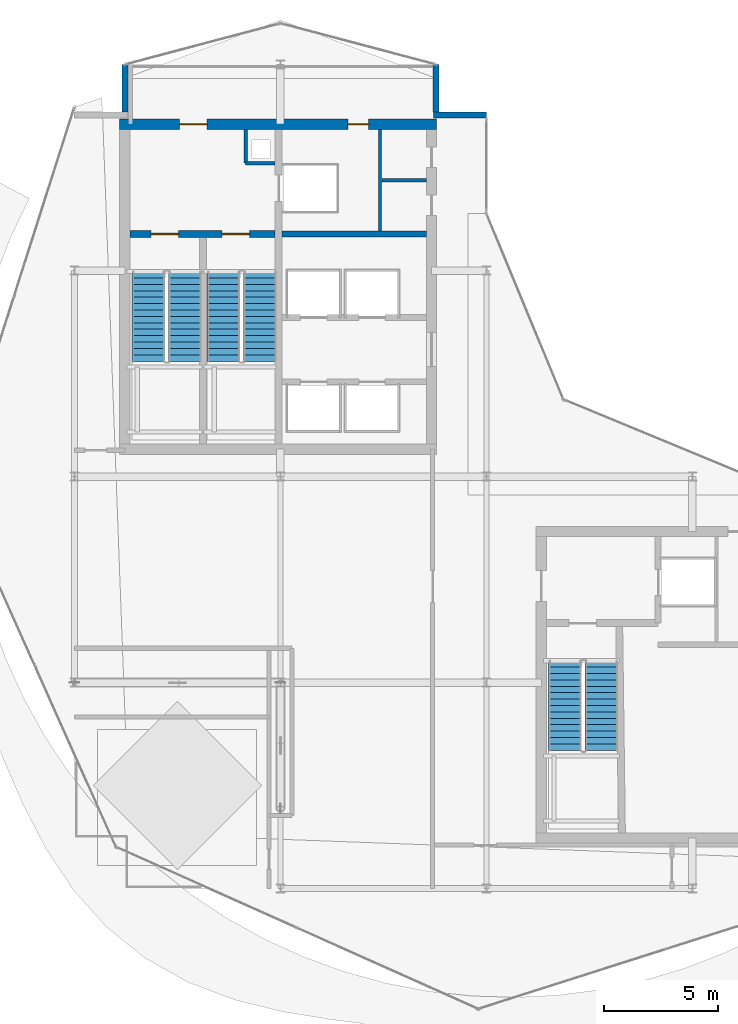
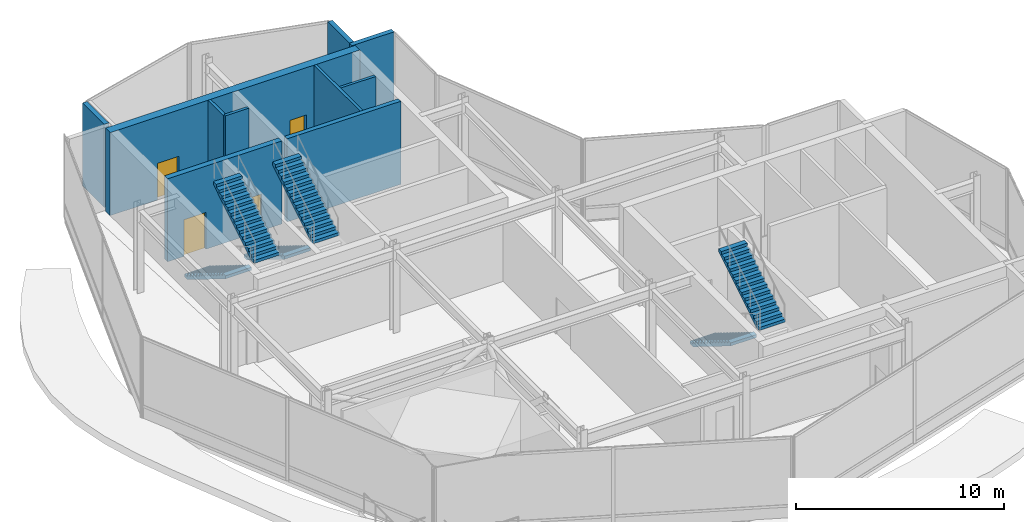
# One storey, part 18 of 21: 10 walls, 6 stair flights, 4 doors, 4 openings, 3 elements without a shape of their own.
"""IFC4 building model written with IfcOpenShell, lengths in metres."""

from ifc_helpers import new_model, si_unit, direction, frame, frame_2d, origin, place, context, subcontext, project, spatial, polyline, rectangle, outline, extrude, material, layer, layer_set, type_object, element, fill, aggregate, save


model = new_model("IFC4")

# Units and contexts
model_context = context("Model", 3, precision=1e-05, world=origin(), true_north=direction((0.0, 1.0)))
body_context = subcontext(model_context, "Body", "Model", "MODEL_VIEW")
ifc_project = project(units=[si_unit("LENGTHUNIT", "METRE"), si_unit("AREAUNIT", "SQUARE_METRE"), si_unit("VOLUMEUNIT", "CUBIC_METRE"), si_unit("PLANEANGLEUNIT", "RADIAN"), si_unit("MASSUNIT", "GRAM", prefix="KILO")], contexts=[model_context])

# Site, building, storey
site_placement = place(None, origin())
site = spatial("IfcSite", under=ifc_project, at=site_placement, CompositionType="ELEMENT")
building_placement = place(site_placement, origin())
building = spatial("IfcBuilding", under=site, at=building_placement, Name="Solvaryn Broadcast Tower", CompositionType="ELEMENT")
storey_placement = place(building_placement, frame((0.0, 0.0, 297.39990234375)))
storey = spatial("IfcBuildingStorey", under=building, at=storey_placement, Name="L75", CompositionType="ELEMENT", Elevation=297.39990234375)

# Wall, openings, doors
ifc_material_1 = material(Name="Concrete f'c 70 MPa", Category="concrete")
ifc_layer_1 = layer(ifc_material_1, 0.449951171875)
ifc_layer_set_1 = layer_set([ifc_layer_1], Name="CW-SHEAR-450")
wall_type_1 = type_object("IfcWallType", Name="CW-SHEAR-450", PredefinedType="SHEAR", material=ifc_layer_set_1)
wall_1_placement = place(storey_placement, frame((24.824951171875, 42.39990234375, 0.0), z_axis=(0.0, 0.0, 1.0), x_axis=(-1.0, 0.0, 0.0)))
wall_1 = element("IfcWall", 1, at=wall_1_placement, inside=storey, type_object=wall_type_1, Name="L75 West Core North Shear Wall", PredefinedType="SHEAR", context=body_context, shape_type="SweptSolid", body=[
    extrude(rectangle(XDim=13.849853515625, YDim=0.449951171875, at=frame_2d((6.9248046875, 0.0))), origin(), (0.0, 0.0, 1.0), 4.8701171875),
])
opening_1_placement = place(wall_1_placement, frame((10.02490234375, 0.0, 0.0)))
opening_1 = element("IfcOpeningElement", 2, at=opening_1_placement, cuts=wall_1, Name="Opening FD90A", PredefinedType="OPENING", context=body_context, shape_type="SweptSolid", body=[
    extrude(rectangle(XDim=1.199951171875, YDim=2.14990234375, at=frame_2d((0.60009765625, 1.074951171875))), frame((0.0, 0.235107421875, 0.0), z_axis=(0.0, -1.0, 0.0), x_axis=(1.0, 0.0, 0.0)), (0.0, 0.0, 1.0), 0.469970703125),
])
opening_2_placement = place(wall_1_placement, frame((2.97509765625, 0.0, 0.0)))
opening_2 = element("IfcOpeningElement", 3, at=opening_2_placement, cuts=wall_1, Name="Opening FD60C", PredefinedType="OPENING", context=body_context, shape_type="SweptSolid", body=[
    extrude(rectangle(XDim=0.89990234375, YDim=2.10009765625, at=frame_2d((0.449951171875, 1.050048828125))), frame((0.0, 0.235107421875, 0.0), z_axis=(0.0, -1.0, 0.0), x_axis=(1.0, 0.0, 0.0)), (0.0, 0.0, 1.0), 0.469970703125),
])
ifc_material_2 = material(Name="Flush Acoustic Steel and Timber Door Assembly", Category="steel")
door_type_1 = type_object("IfcDoorType", Name="FD60-SERV-900X2100", OperationType="NOTDEFINED", PredefinedType="DOOR", material=ifc_material_2)
door_1_placement = place(opening_2_placement, origin())
door_1 = element("IfcDoor", 4, at=door_1_placement, inside=storey, type_object=door_type_1, Name="L75 West Core Fiber Riser Door", OperationType="SINGLE_SWING_RIGHT", OverallHeight=2.10009765625, OverallWidth=0.89990234375, PredefinedType="DOOR", context=body_context, shape_type="SweptSolid", body=[
    extrude(rectangle(XDim=0.89990234375, YDim=2.10009765625, at=frame_2d((0.449951171875, 1.050048828125))), frame((0.0, 0.02490234375, 0.0), z_axis=(0.0, -1.0, 0.0), x_axis=(1.0, 0.0, 0.0)), (0.0, 0.0, 1.0), 0.050048828125),
])
fill(opening_2, door_1)
ifc_material_3 = material(Name="Flush Acoustic Steel and Timber Door Assembly", Category="steel")
door_type_2 = type_object("IfcDoorType", Name="FD90-STAIR-1200X2150", OperationType="NOTDEFINED", PredefinedType="DOOR", material=ifc_material_3)
door_2_placement = place(opening_1_placement, origin())
door_2 = element("IfcDoor", 5, at=door_2_placement, inside=storey, type_object=door_type_2, Name="L75 West FSAE Lobby Corridor Door", OperationType="SINGLE_SWING_LEFT", OverallHeight=2.14990234375, OverallWidth=1.199951171875, PredefinedType="DOOR", context=body_context, shape_type="SweptSolid", body=[
    extrude(rectangle(XDim=1.199951171875, YDim=2.14990234375, at=frame_2d((0.60009765625, 1.074951171875))), frame((0.0, 0.02490234375, 0.0), z_axis=(0.0, -1.0, 0.0), x_axis=(1.0, 0.0, 0.0)), (0.0, 0.0, 1.0), 0.050048828125),
])
fill(opening_1, door_2)

# Walls
ifc_material_4 = material(Name="Concrete f'c 50 MPa", Category="concrete")
ifc_layer_2 = layer(ifc_material_4, 0.260009765625)
ifc_layer_set_2 = layer_set([ifc_layer_2], Name="EW-PIER-260")
wall_type_2 = type_object("IfcWallType", Name="EW-PIER-260", PredefinedType="SOLIDWALL", material=ifc_layer_set_2)
for number, where, z_axis, x_axis, name in (
    (6, (11.199951171875, 42.919921875, 0.0), (0.0, 0.0, 1.0), (0.0, 1.0, 0.0), "L75 Notched Corner Pier Wall NNW2"),
    (7, (24.800048828125, 45.0, 0.0), (0.0, 0.0, 1.0), (0.0, -1.0, 0.0), "L75 Notched Corner Pier Wall NNE1"),
):
    element("IfcWall", number, at=place(storey_placement, frame(where, z_axis=z_axis, x_axis=x_axis)), inside=storey, type_object=wall_type_2, Name=name, PredefinedType="SOLIDWALL", context=body_context, shape_type="SweptSolid", body=[
        extrude(rectangle(XDim=2.080078125, YDim=0.260009765625, at=frame_2d((1.0400390625, 0.0))), origin(), (0.0, 0.0, 1.0), 4.8701171875),
    ])
wall_2_placement = place(storey_placement, frame((24.679931640625, 42.800048828125, 0.0), z_axis=(0.0, 0.0, 1.0), x_axis=(1.0, 0.0, 0.0)))
element("IfcWall", 8, at=wall_2_placement, inside=storey, type_object=wall_type_2, Name="L75 Notched Corner Pier Wall NNE2", PredefinedType="SOLIDWALL", context=body_context, shape_type="SweptSolid", body=[
    extrude(rectangle(XDim=2.320068359375, YDim=0.260009765625, at=frame_2d((1.16015625, 0.0))), origin(), (0.0, 0.0, 1.0), 4.8701171875),
])
ifc_material_5 = material(Name="Metal-Stud Service Core Partition")
ifc_layer_3 = layer(ifc_material_5, 0.14990234375)
ifc_layer_set_3 = layer_set([ifc_layer_3], Name="IW-PART-150")
wall_type_3 = type_object("IfcWallType", Name="IW-PART-150", PredefinedType="PARTITIONING", material=ifc_layer_set_3)
wall_3_placement = place(storey_placement, frame((16.47998046875, 40.699951171875, 0.0), z_axis=(0.0, 0.0, 1.0), x_axis=(1.0, 0.0, 0.0)))
element("IfcWall", 9, at=wall_3_placement, inside=storey, type_object=wall_type_3, Name="L75 West Core Riser Shaft South Wall", PredefinedType="PARTITIONING", context=body_context, shape_type="SweptSolid", body=[
    extrude(rectangle(XDim=1.2900390625, YDim=0.14990234375, at=frame_2d((0.64501953125, 0.0))), origin(), (0.0, 0.0, 1.0), 4.8701171875),
])
wall_4_placement = place(storey_placement, frame((16.47998046875, 40.699951171875, 0.0), z_axis=(0.0, 0.0, 1.0), x_axis=(0.0, 1.0, 0.0)))
element("IfcWall", 10, at=wall_4_placement, inside=storey, type_object=wall_type_3, Name="L75 West Core Riser Shaft West Wall", PredefinedType="PARTITIONING", context=body_context, shape_type="SweptSolid", body=[
    extrude(rectangle(XDim=1.47509765625, YDim=0.14990234375, at=frame_2d((0.737548828125, 0.0))), origin(), (0.0, 0.0, 1.0), 4.8701171875),
])
wall_5_placement = place(storey_placement, frame((22.35009765625, 37.72998046875, 0.0), z_axis=(0.0, 0.0, 1.0), x_axis=(0.0, 1.0, 0.0)))
element("IfcWall", 11, at=wall_5_placement, inside=storey, type_object=wall_type_3, Name="L75 Interior Partition IW-L75-CWS-V", PredefinedType="PARTITIONING", context=body_context, shape_type="SweptSolid", body=[
    extrude(rectangle(XDim=4.445068359375, YDim=0.14990234375, at=frame_2d((2.22265625, 0.0))), origin(), (0.0, 0.0, 1.0), 4.8701171875),
])
wall_6_placement = place(storey_placement, frame((22.429931640625, 39.949951171875, 0.0), z_axis=(0.0, 0.0, 1.0), x_axis=(1.0, 0.0, 0.0)))
element("IfcWall", 12, at=wall_6_placement, inside=storey, type_object=wall_type_3, Name="L75 Interior Partition IW-L75-CWS-H", PredefinedType="PARTITIONING", context=body_context, shape_type="SweptSolid", body=[
    extrude(rectangle(XDim=1.945068359375, YDim=0.14990234375, at=frame_2d((0.97265625, 0.0))), origin(), (0.0, 0.0, 1.0), 4.8701171875),
])
ifc_material_6 = material(Name="Concrete f'c 60 MPa", Category="concrete")
ifc_layer_4 = layer(ifc_material_6, 0.25)
ifc_layer_set_4 = layer_set([ifc_layer_4], Name="SW-SHAFT-250")
wall_type_4 = type_object("IfcWallType", Name="SW-SHAFT-250", PredefinedType="PARTITIONING", material=ifc_layer_set_4)
wall_7_placement = place(storey_placement, frame((18.070068359375, 37.60009765625, 0.0), z_axis=(0.0, 0.0, 1.0), x_axis=(1.0, 0.0, 0.0)))
element("IfcWall", 13, at=wall_7_placement, inside=storey, type_object=wall_type_4, Name="L75 West Core FSAE Hoistway Front Wall", PredefinedType="PARTITIONING", context=body_context, shape_type="SweptSolid", body=[
    extrude(rectangle(XDim=6.304931640625, YDim=0.25, at=frame_2d((3.15234375, 0.0))), origin(), (0.0, 0.0, 1.0), 4.8701171875),
])

# Wall, openings, doors
ifc_material_7 = material(Name="Concrete f'c 70 MPa", Category="concrete")
ifc_layer_5 = layer(ifc_material_7, 0.300048828125)
ifc_layer_set_5 = layer_set([ifc_layer_5], Name="SW-SHAFT-300")
wall_type_5 = type_object("IfcWallType", Name="SW-SHAFT-300", PredefinedType="SHEAR", material=ifc_layer_set_5)
wall_8_placement = place(storey_placement, frame((17.77001953125, 37.60009765625, 0.0), z_axis=(0.0, 0.0, 1.0), x_axis=(-1.0, 0.0, 0.0)))
wall_8 = element("IfcWall", 14, at=wall_8_placement, inside=storey, type_object=wall_type_5, Name="L75 West Core FSAE Lobby South Wall", PredefinedType="SHEAR", context=body_context, shape_type="SweptSolid", body=[
    extrude(rectangle(XDim=6.344970703125, YDim=0.300048828125, at=frame_2d((3.17236328125, 0.0))), origin(), (0.0, 0.0, 1.0), 4.8701171875),
])
opening_3_placement = place(wall_8_placement, frame((4.219970703125, 0.0, 0.0)))
opening_3 = element("IfcOpeningElement", 15, at=opening_3_placement, cuts=wall_8, Name="Opening FD90A", PredefinedType="OPENING", context=body_context, shape_type="SweptSolid", body=[
    extrude(rectangle(XDim=1.199951171875, YDim=2.14990234375, at=frame_2d((0.60009765625, 1.074951171875))), frame((0.0, 0.159912109375, 0.0), z_axis=(0.0, -1.0, 0.0), x_axis=(1.0, 0.0, 0.0)), (0.0, 0.0, 1.0), 0.320068359375),
])
opening_4_placement = place(wall_8_placement, frame((1.1201171875, 0.0, 0.0)))
opening_4 = element("IfcOpeningElement", 16, at=opening_4_placement, cuts=wall_8, Name="Opening FD90A", PredefinedType="OPENING", context=body_context, shape_type="SweptSolid", body=[
    extrude(rectangle(XDim=1.199951171875, YDim=2.14990234375, at=frame_2d((0.60009765625, 1.074951171875))), frame((0.0, 0.159912109375, 0.0), z_axis=(0.0, -1.0, 0.0), x_axis=(1.0, 0.0, 0.0)), (0.0, 0.0, 1.0), 0.320068359375),
])
door_3_placement = place(opening_3_placement, origin())
door_3 = element("IfcDoor", 17, at=door_3_placement, inside=storey, type_object=door_type_2, Name="L75 Stair 1 Fire Door", OperationType="SINGLE_SWING_LEFT", OverallHeight=2.14990234375, OverallWidth=1.199951171875, PredefinedType="DOOR", context=body_context, shape_type="SweptSolid", body=[
    extrude(rectangle(XDim=1.199951171875, YDim=2.14990234375, at=frame_2d((0.60009765625, 1.074951171875))), frame((0.0, 0.02490234375, 0.0), z_axis=(0.0, -1.0, 0.0), x_axis=(1.0, 0.0, 0.0)), (0.0, 0.0, 1.0), 0.050048828125),
])
fill(opening_3, door_3)
door_4_placement = place(opening_4_placement, origin())
door_4 = element("IfcDoor", 18, at=door_4_placement, inside=storey, type_object=door_type_2, Name="L75 Stair 2 Fire Door", OperationType="SINGLE_SWING_RIGHT", OverallHeight=2.14990234375, OverallWidth=1.199951171875, PredefinedType="DOOR", context=body_context, shape_type="SweptSolid", body=[
    extrude(rectangle(XDim=1.199951171875, YDim=2.14990234375, at=frame_2d((0.60009765625, 1.074951171875))), frame((0.0, 0.02490234375, 0.0), z_axis=(0.0, -1.0, 0.0), x_axis=(1.0, 0.0, 0.0)), (0.0, 0.0, 1.0), 0.050048828125),
])
fill(opening_4, door_4)

# Stair, stair flights
ifc_material_8 = material(Name="Concrete f'c 60 MPa", Category="concrete")
stair_type = type_object("IfcStairType", Name="ST-CORE", PredefinedType="HALF_TURN_STAIR", material=ifc_material_8)
stair_1_placement = place(storey_placement, origin())
stair_1 = element("IfcStair", 19, at=stair_1_placement, inside=storey, type_object=stair_type, Name="L75 ST1", PredefinedType="HALF_TURN_STAIR")
ifc_material_9 = material(Name="Concrete f'c 60 MPa", Category="concrete")
ifc_layer_6 = layer(ifc_material_9, 0.159912109375)
ifc_layer_set_6 = layer_set([ifc_layer_6], Name="SF-CORE")
stair_flight_type = type_object("IfcStairFlightType", Name="SF-CORE", PredefinedType="STRAIGHT", material=ifc_layer_set_6)
stair_flight_1_placement = place(storey_placement, frame((12.239990234375, 35.9599609375, 0.0), z_axis=(0.0, 0.0, 1.0), x_axis=(0.0, -1.0, 0.0)))
stair_flight_1 = element("IfcStairFlight", 20, at=stair_flight_1_placement, type_object=stair_flight_type, Name="ST1 flight 1", NumberOfRisers=15, NumberOfTreads=14, PredefinedType="STRAIGHT", RiserHeight=0.173333333, TreadLength=0.28, context=body_context, shape_type="SweptSolid", body=[
    extrude(outline(polyline([(0.0, 0.0), (0.0, 0.17333984375), (0.280029296875, 0.17333984375), (0.280029296875, 0.3466796875), (0.56005859375, 0.3466796875), (0.56005859375, 0.52001953125), (0.840087890625, 0.52001953125), (0.840087890625, 0.693359375), (1.1201171875, 0.693359375), (1.1201171875, 0.86669921875), (1.39990234375, 0.86669921875), (1.39990234375, 1.0400390625), (1.679931640625, 1.0400390625), (1.679931640625, 1.21337890625), (1.9599609375, 1.21337890625), (1.9599609375, 1.38671875), (2.239990234375, 1.38671875), (2.239990234375, 1.56005859375), (2.52001953125, 1.56005859375), (2.52001953125, 1.7333984375), (2.800048828125, 1.7333984375), (2.800048828125, 1.90673828125), (3.080078125, 1.90673828125), (3.080078125, 2.080078125), (3.360107421875, 2.080078125), (3.360107421875, 2.25341796875), (3.639892578125, 2.25341796875), (3.639892578125, 2.4267578125), (3.919921875, 2.4267578125), (3.919921875, 2.60009765625), (3.919921875, 2.250244140625), (0.284912109375, 0.0), (0.0, 0.0)])), frame((0.0, 0.719970703125, 0.0), z_axis=(0.0, -1.0, 0.0), x_axis=(1.0, 0.0, 0.0)), (0.0, 0.0, 1.0), 1.43994140625),
])
stair_flight_2_placement = place(storey_placement, frame((13.830078125, 32.0400390625, 2.60009765625), z_axis=(0.0, 0.0, 1.0), x_axis=(0.0, 1.0, 0.0)))
stair_flight_2 = element("IfcStairFlight", 21, at=stair_flight_2_placement, type_object=stair_flight_type, Name="ST1 flight 2", NumberOfRisers=15, NumberOfTreads=14, PredefinedType="STRAIGHT", RiserHeight=0.173333333, TreadLength=0.28, context=body_context, shape_type="SweptSolid", body=[
    extrude(outline(polyline([(0.0, 0.0), (0.0, 0.17333984375), (0.280029296875, 0.17333984375), (0.280029296875, 0.3466796875), (0.56005859375, 0.3466796875), (0.56005859375, 0.52001953125), (0.840087890625, 0.52001953125), (0.840087890625, 0.693359375), (1.1201171875, 0.693359375), (1.1201171875, 0.86669921875), (1.39990234375, 0.86669921875), (1.39990234375, 1.0400390625), (1.679931640625, 1.0400390625), (1.679931640625, 1.21337890625), (1.9599609375, 1.21337890625), (1.9599609375, 1.38671875), (2.239990234375, 1.38671875), (2.239990234375, 1.56005859375), (2.52001953125, 1.56005859375), (2.52001953125, 1.7333984375), (2.800048828125, 1.7333984375), (2.800048828125, 1.90673828125), (3.080078125, 1.90673828125), (3.080078125, 2.080078125), (3.360107421875, 2.080078125), (3.360107421875, 2.25341796875), (3.639892578125, 2.25341796875), (3.639892578125, 2.4267578125), (3.919921875, 2.4267578125), (3.919921875, 2.60009765625), (3.919921875, 2.250244140625), (0.284912109375, 0.0), (0.0, 0.0)])), frame((0.0, 0.719970703125, 0.0), z_axis=(0.0, -1.0, 0.0), x_axis=(1.0, 0.0, 0.0)), (0.0, 0.0, 1.0), 1.43994140625),
])
aggregate(stair_1, [stair_flight_1, stair_flight_2])

stair_2_placement = place(storey_placement, origin())
stair_2 = element("IfcStair", 22, at=stair_2_placement, inside=storey, type_object=stair_type, Name="L75 ST2", PredefinedType="HALF_TURN_STAIR")
stair_flight_3_placement = place(storey_placement, frame((15.52001953125, 35.9599609375, 0.0), z_axis=(0.0, 0.0, 1.0), x_axis=(0.0, -1.0, 0.0)))
stair_flight_3 = element("IfcStairFlight", 23, at=stair_flight_3_placement, type_object=stair_flight_type, Name="ST2 flight 1", NumberOfRisers=15, NumberOfTreads=14, PredefinedType="STRAIGHT", RiserHeight=0.173333333, TreadLength=0.28, context=body_context, shape_type="SweptSolid", body=[
    extrude(outline(polyline([(0.0, 0.0), (0.0, 0.17333984375), (0.280029296875, 0.17333984375), (0.280029296875, 0.3466796875), (0.56005859375, 0.3466796875), (0.56005859375, 0.52001953125), (0.840087890625, 0.52001953125), (0.840087890625, 0.693359375), (1.1201171875, 0.693359375), (1.1201171875, 0.86669921875), (1.39990234375, 0.86669921875), (1.39990234375, 1.0400390625), (1.679931640625, 1.0400390625), (1.679931640625, 1.21337890625), (1.9599609375, 1.21337890625), (1.9599609375, 1.38671875), (2.239990234375, 1.38671875), (2.239990234375, 1.56005859375), (2.52001953125, 1.56005859375), (2.52001953125, 1.7333984375), (2.800048828125, 1.7333984375), (2.800048828125, 1.90673828125), (3.080078125, 1.90673828125), (3.080078125, 2.080078125), (3.360107421875, 2.080078125), (3.360107421875, 2.25341796875), (3.639892578125, 2.25341796875), (3.639892578125, 2.4267578125), (3.919921875, 2.4267578125), (3.919921875, 2.60009765625), (3.919921875, 2.250244140625), (0.284912109375, 0.0), (0.0, 0.0)])), frame((0.0, 0.719970703125, 0.0), z_axis=(0.0, -1.0, 0.0), x_axis=(1.0, 0.0, 0.0)), (0.0, 0.0, 1.0), 1.43994140625),
])
stair_flight_4_placement = place(storey_placement, frame((17.110107421875, 32.0400390625, 2.60009765625), z_axis=(0.0, 0.0, 1.0), x_axis=(0.0, 1.0, 0.0)))
stair_flight_4 = element("IfcStairFlight", 24, at=stair_flight_4_placement, type_object=stair_flight_type, Name="ST2 flight 2", NumberOfRisers=15, NumberOfTreads=14, PredefinedType="STRAIGHT", RiserHeight=0.173333333, TreadLength=0.28, context=body_context, shape_type="SweptSolid", body=[
    extrude(outline(polyline([(0.0, 0.0), (0.0, 0.17333984375), (0.280029296875, 0.17333984375), (0.280029296875, 0.3466796875), (0.56005859375, 0.3466796875), (0.56005859375, 0.52001953125), (0.840087890625, 0.52001953125), (0.840087890625, 0.693359375), (1.1201171875, 0.693359375), (1.1201171875, 0.86669921875), (1.39990234375, 0.86669921875), (1.39990234375, 1.0400390625), (1.679931640625, 1.0400390625), (1.679931640625, 1.21337890625), (1.9599609375, 1.21337890625), (1.9599609375, 1.38671875), (2.239990234375, 1.38671875), (2.239990234375, 1.56005859375), (2.52001953125, 1.56005859375), (2.52001953125, 1.7333984375), (2.800048828125, 1.7333984375), (2.800048828125, 1.90673828125), (3.080078125, 1.90673828125), (3.080078125, 2.080078125), (3.360107421875, 2.080078125), (3.360107421875, 2.25341796875), (3.639892578125, 2.25341796875), (3.639892578125, 2.4267578125), (3.919921875, 2.4267578125), (3.919921875, 2.60009765625), (3.919921875, 2.250244140625), (0.284912109375, 0.0), (0.0, 0.0)])), frame((0.0, 0.719970703125, 0.0), z_axis=(0.0, -1.0, 0.0), x_axis=(1.0, 0.0, 0.0)), (0.0, 0.0, 1.0), 1.43994140625),
])
aggregate(stair_2, [stair_flight_3, stair_flight_4])

stair_3_placement = place(storey_placement, origin())
stair_3 = element("IfcStair", 25, at=stair_3_placement, inside=storey, type_object=stair_type, Name="L75 ST3", PredefinedType="HALF_TURN_STAIR")
stair_flight_5_placement = place(storey_placement, frame((30.43994140625, 18.9599609375, 0.0), z_axis=(0.0, 0.0, 1.0), x_axis=(0.0, -1.0, 0.0)))
stair_flight_5 = element("IfcStairFlight", 26, at=stair_flight_5_placement, type_object=stair_flight_type, Name="ST3 flight 1", NumberOfRisers=15, NumberOfTreads=14, PredefinedType="STRAIGHT", RiserHeight=0.173333333, TreadLength=0.28, context=body_context, shape_type="SweptSolid", body=[
    extrude(outline(polyline([(0.0, 0.0), (0.0, 0.17333984375), (0.280029296875, 0.17333984375), (0.280029296875, 0.3466796875), (0.56005859375, 0.3466796875), (0.56005859375, 0.52001953125), (0.840087890625, 0.52001953125), (0.840087890625, 0.693359375), (1.1201171875, 0.693359375), (1.1201171875, 0.86669921875), (1.39990234375, 0.86669921875), (1.39990234375, 1.0400390625), (1.679931640625, 1.0400390625), (1.679931640625, 1.21337890625), (1.9599609375, 1.21337890625), (1.9599609375, 1.38671875), (2.239990234375, 1.38671875), (2.239990234375, 1.56005859375), (2.52001953125, 1.56005859375), (2.52001953125, 1.7333984375), (2.800048828125, 1.7333984375), (2.800048828125, 1.90673828125), (3.080078125, 1.90673828125), (3.080078125, 2.080078125), (3.360107421875, 2.080078125), (3.360107421875, 2.25341796875), (3.639892578125, 2.25341796875), (3.639892578125, 2.4267578125), (3.919921875, 2.4267578125), (3.919921875, 2.60009765625), (3.919921875, 2.250244140625), (0.284912109375, 0.0), (0.0, 0.0)])), frame((0.0, 0.719970703125, 0.0), z_axis=(0.0, -1.0, 0.0), x_axis=(1.0, 0.0, 0.0)), (0.0, 0.0, 1.0), 1.43994140625),
])
stair_flight_6_placement = place(storey_placement, frame((32.030029296875, 15.0400390625, 2.60009765625), z_axis=(0.0, 0.0, 1.0), x_axis=(0.0, 1.0, 0.0)))
stair_flight_6 = element("IfcStairFlight", 27, at=stair_flight_6_placement, type_object=stair_flight_type, Name="ST3 flight 2", NumberOfRisers=15, NumberOfTreads=14, PredefinedType="STRAIGHT", RiserHeight=0.173333333, TreadLength=0.28, context=body_context, shape_type="SweptSolid", body=[
    extrude(outline(polyline([(0.0, 0.0), (0.0, 0.17333984375), (0.280029296875, 0.17333984375), (0.280029296875, 0.3466796875), (0.56005859375, 0.3466796875), (0.56005859375, 0.52001953125), (0.840087890625, 0.52001953125), (0.840087890625, 0.693359375), (1.1201171875, 0.693359375), (1.1201171875, 0.86669921875), (1.39990234375, 0.86669921875), (1.39990234375, 1.0400390625), (1.679931640625, 1.0400390625), (1.679931640625, 1.21337890625), (1.9599609375, 1.21337890625), (1.9599609375, 1.38671875), (2.239990234375, 1.38671875), (2.239990234375, 1.56005859375), (2.52001953125, 1.56005859375), (2.52001953125, 1.7333984375), (2.800048828125, 1.7333984375), (2.800048828125, 1.90673828125), (3.080078125, 1.90673828125), (3.080078125, 2.080078125), (3.360107421875, 2.080078125), (3.360107421875, 2.25341796875), (3.639892578125, 2.25341796875), (3.639892578125, 2.4267578125), (3.919921875, 2.4267578125), (3.919921875, 2.60009765625), (3.919921875, 2.250244140625), (0.284912109375, 0.0), (0.0, 0.0)])), frame((0.0, 0.719970703125, 0.0), z_axis=(0.0, -1.0, 0.0), x_axis=(1.0, 0.0, 0.0)), (0.0, 0.0, 1.0), 1.43994140625),
])
aggregate(stair_3, [stair_flight_5, stair_flight_6])

save(model, "model.ifc")
